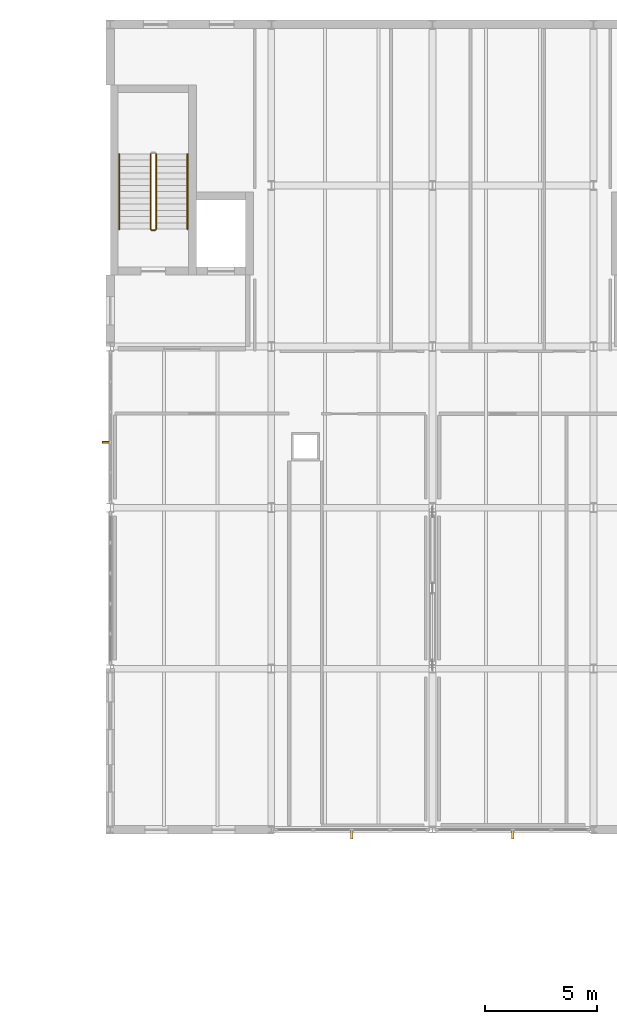
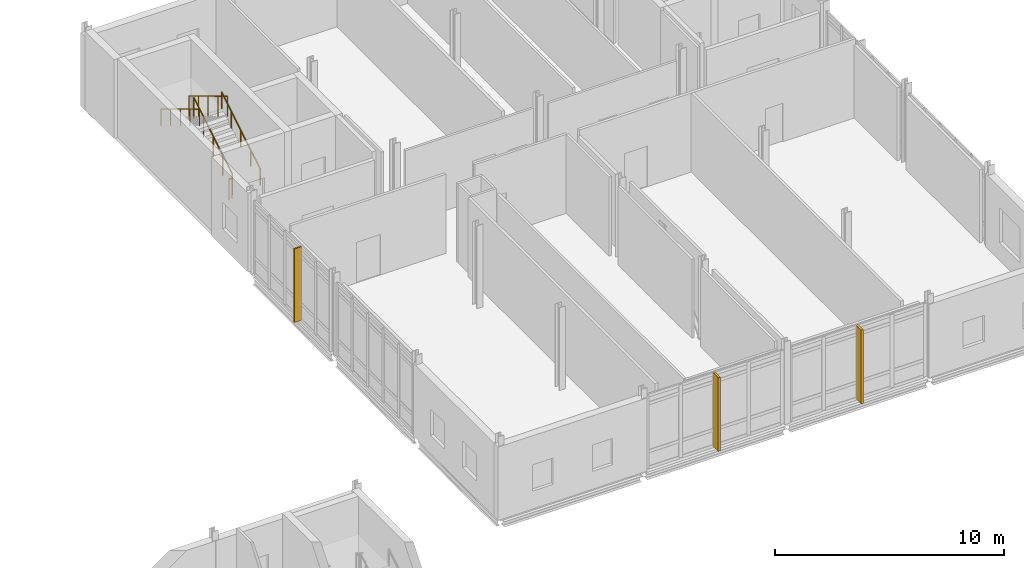
# One storey, part 71 of 72: 5 railings, 3 shading devices.
"""IFC4 building model written with IfcOpenShell, lengths in metres."""

from ifc_helpers import new_model, si_unit, direction, frame, origin, origin_2d, place, context, subcontext, project, spatial, rectangle, circle, extrude, material, layer, layer_set, type_object, element, save


model = new_model("IFC4")

# Units and contexts
model_context = context("Model", 3, precision=1e-05, world=origin(), true_north=direction((0.0, 1.0)))
body_context = subcontext(model_context, "Body", "Model", "MODEL_VIEW")
ifc_project = project(units=[si_unit("LENGTHUNIT", "METRE"), si_unit("AREAUNIT", "SQUARE_METRE"), si_unit("VOLUMEUNIT", "CUBIC_METRE"), si_unit("PLANEANGLEUNIT", "RADIAN"), si_unit("MASSUNIT", "GRAM", prefix="KILO")], contexts=[model_context])

# Site, building, storey
site_placement = place(None, origin())
site = spatial("IfcSite", under=ifc_project, at=site_placement, CompositionType="ELEMENT")
building_placement = place(site_placement, origin())
building = spatial("IfcBuilding", under=site, at=building_placement, Name="Zarrinpeak Specialist Clinic", CompositionType="ELEMENT")
storey_placement = place(building_placement, frame((0.0, 0.0, 9.60009765625)))
storey = spatial("IfcBuildingStorey", under=building, at=storey_placement, Name="L02", CompositionType="ELEMENT", Elevation=9.60009765625)

# Railings
ifc_material_1 = material(Name="Laminated Safety Glass and Stainless Steel 316", Category="steel")
ifc_layer_1 = layer(ifc_material_1, 0.06005859375)
ifc_layer_set_1 = layer_set([ifc_layer_1], Name="Laminated Safety Glass and Stainless Steel 316")
railing_type_1 = type_object("IfcRailingType", Name="RL-GRD115", PredefinedType="GUARDRAIL", material=ifc_layer_set_1)
railing_1_placement = place(storey_placement, frame((38.050048828125, 108.85009765625, 0.169189453125)))
element("IfcRailing", 1, at=railing_1_placement, inside=storey, type_object=railing_type_1, Name="L02 ST-11 stair guard 1", PredefinedType="GUARDRAIL", context=body_context, shape_type="SweptSolid", body=[
    extrude(circle(Radius=0.02392578125, at=origin_2d()), frame((0.0, 0.0, 1.076171875), z_axis=(0.0, 0.855820338506, 0.51727318527), x_axis=(-1.0, 0.0, 0.0)), (0.0, 0.0, 1.0), 3.92578125),
    extrude(circle(Radius=0.02099609375, at=origin_2d()), origin(), (0.0, 0.0, 1.0), 1.052001953125),
    extrude(circle(Radius=0.02099609375, at=origin_2d()), frame((0.0, 0.83984375, 0.5078125)), (0.0, 0.0, 1.0), 1.052001953125),
    extrude(circle(Radius=0.02099609375, at=origin_2d()), frame((0.0, 1.679931640625, 1.015380859375)), (0.0, 0.0, 1.0), 1.052001953125),
    extrude(circle(Radius=0.02099609375, at=origin_2d()), frame((0.0, 2.52001953125, 1.52294921875)), (0.0, 0.0, 1.0), 1.052001953125),
    extrude(circle(Radius=0.02099609375, at=origin_2d()), frame((0.0, 3.35986328125, 2.03076171875)), (0.0, 0.0, 1.0), 1.052001953125),
])
railing_2_placement = place(storey_placement, frame((37.800048828125, 112.2099609375, 2.369140625)))
element("IfcRailing", 2, at=railing_2_placement, inside=storey, type_object=railing_type_1, Name="L02 ST-11 stair guard 3", PredefinedType="GUARDRAIL", context=body_context, shape_type="SweptSolid", body=[
    extrude(circle(Radius=0.02392578125, at=origin_2d()), frame((0.0, 0.0, 1.076171875), z_axis=(0.0, -0.855820338506, 0.51727318527), x_axis=(1.0, 0.0, 0.0)), (0.0, 0.0, 1.0), 3.92578125),
    extrude(circle(Radius=0.02099609375, at=origin_2d()), origin(), (0.0, 0.0, 1.0), 1.052001953125),
    extrude(circle(Radius=0.02099609375, at=origin_2d()), frame((0.0, -0.83984375, 0.5078125)), (0.0, 0.0, 1.0), 1.052001953125),
    extrude(circle(Radius=0.02099609375, at=origin_2d()), frame((0.0, -1.679931640625, 1.015380859375)), (0.0, 0.0, 1.0), 1.052001953125),
    extrude(circle(Radius=0.02099609375, at=origin_2d()), frame((0.0, -2.52001953125, 1.52294921875)), (0.0, 0.0, 1.0), 1.052001953125),
    extrude(circle(Radius=0.02099609375, at=origin_2d()), frame((0.0, -3.35986328125, 2.03076171875)), (0.0, 0.0, 1.0), 1.052001953125),
])
railing_3_placement = place(storey_placement, frame((38.0, 108.800048828125, 0.0)))
element("IfcRailing", 3, at=railing_3_placement, inside=storey, type_object=railing_type_1, Name="L02 ST-11 stair guard 4", PredefinedType="GUARDRAIL", context=body_context, shape_type="SweptSolid", body=[
    extrude(circle(Radius=0.02392578125, at=origin_2d()), frame((0.0, 0.0, 1.076171875), z_axis=(-1.0, 0.0, 0.0), x_axis=(0.0, -1.0, 0.0)), (0.0, 0.0, 1.0), 0.14990234375),
    extrude(circle(Radius=0.02099609375, at=origin_2d()), origin(), (0.0, 0.0, 1.0), 1.052001953125),
    extrude(circle(Radius=0.02099609375, at=origin_2d()), frame((-0.14990234375, 0.0, 0.0)), (0.0, 0.0, 1.0), 1.052001953125),
])
ifc_material_2 = material(Name="Brushed Stainless Steel 316 Handrail", Category="steel")
ifc_layer_2 = layer(ifc_material_2, 0.050048828125)
ifc_layer_set_2 = layer_set([ifc_layer_2], Name="Brushed Stainless Steel 316 Handrail")
railing_type_2 = type_object("IfcRailingType", Name="RL-HND92", PredefinedType="HANDRAIL", material=ifc_layer_set_2)
railing_4_placement = place(storey_placement, frame((39.449951171875, 108.85009765625, 0.169189453125)))
element("IfcRailing", 4, at=railing_4_placement, inside=storey, type_object=railing_type_2, Name="L02 ST-11 stair handrail 1", PredefinedType="HANDRAIL", context=body_context, shape_type="SweptSolid", body=[
    extrude(circle(Radius=0.02392578125, at=origin_2d()), frame((0.0, 0.0, 0.8759765625), z_axis=(0.0, 0.855820338506, 0.51727318527), x_axis=(-1.0, 0.0, 0.0)), (0.0, 0.0, 1.0), 3.92578125),
    extrude(circle(Radius=0.02099609375, at=origin_2d()), origin(), (0.0, 0.0, 1.0), 0.851806640625),
    extrude(circle(Radius=0.02099609375, at=origin_2d()), frame((0.0, 0.83984375, 0.5078125)), (0.0, 0.0, 1.0), 0.851806640625),
    extrude(circle(Radius=0.02099609375, at=origin_2d()), frame((0.0, 1.679931640625, 1.015380859375)), (0.0, 0.0, 1.0), 0.851806640625),
    extrude(circle(Radius=0.02099609375, at=origin_2d()), frame((0.0, 2.52001953125, 1.52294921875)), (0.0, 0.0, 1.0), 0.851806640625),
    extrude(circle(Radius=0.02099609375, at=origin_2d()), frame((0.0, 3.35986328125, 2.03076171875)), (0.0, 0.0, 1.0), 0.851806640625),
])
railing_5_placement = place(storey_placement, frame((36.39990234375, 112.2099609375, 2.369140625)))
element("IfcRailing", 5, at=railing_5_placement, inside=storey, type_object=railing_type_2, Name="L02 ST-11 stair handrail 2", PredefinedType="HANDRAIL", context=body_context, shape_type="SweptSolid", body=[
    extrude(circle(Radius=0.02392578125, at=origin_2d()), frame((0.0, 0.0, 0.8759765625), z_axis=(0.0, -0.855820338506, 0.51727318527), x_axis=(1.0, 0.0, 0.0)), (0.0, 0.0, 1.0), 3.92578125),
    extrude(circle(Radius=0.02099609375, at=origin_2d()), origin(), (0.0, 0.0, 1.0), 0.851806640625),
    extrude(circle(Radius=0.02099609375, at=origin_2d()), frame((0.0, -0.83984375, 0.5078125)), (0.0, 0.0, 1.0), 0.851806640625),
    extrude(circle(Radius=0.02099609375, at=origin_2d()), frame((0.0, -1.679931640625, 1.015380859375)), (0.0, 0.0, 1.0), 0.851806640625),
    extrude(circle(Radius=0.02099609375, at=origin_2d()), frame((0.0, -2.52001953125, 1.52294921875)), (0.0, 0.0, 1.0), 0.851806640625),
    extrude(circle(Radius=0.02099609375, at=origin_2d()), frame((0.0, -3.35986328125, 2.03076171875)), (0.0, 0.0, 1.0), 0.851806640625),
])

# Shading devices
ifc_material_3 = material(Name="Anodised Bronze Aluminium", Category="aluminium")
shading_device_type_1 = type_object("IfcShadingDeviceType", Name="SHD-FIN-BZ", PredefinedType="JALOUSIE", material=ifc_material_3)
shading_device_placement = place(storey_placement, frame((35.8349609375, 99.324951171875, -0.01513671875), z_axis=(0.0, 0.0, 1.0), x_axis=(1.0, 0.0, 0.0)))
element("IfcShadingDevice", 6, at=shading_device_placement, inside=storey, type_object=shading_device_type_1, Name="L02 V6 Solar Control Fin FIN-091", PredefinedType="JALOUSIE", context=body_context, shape_type="SweptSolid", body=[
    extrude(rectangle(XDim=0.3798828125, YDim=0.074951171875, at=origin_2d()), origin(), (0.0, 0.0, 1.0), 3.9150390625),
])
ifc_material_4 = material(Name="Glulam GL28h", Category="wood")
shading_device_type_2 = type_object("IfcShadingDeviceType", Name="SHD-FIN-GL", PredefinedType="USERDEFINED", material=ifc_material_4)
for number, where, z_axis, x_axis, name in (
    (7, (46.800048828125, 81.800048828125, -0.01513671875), (0.0, 0.0, 1.0), (1.0, 0.0, 0.0), "L02 V6 Cedar-Glulam Courtyard Fin FIN-089"),
    (8, (54.0, 81.800048828125, -0.01513671875), (0.0, 0.0, 1.0), (1.0, 0.0, 0.0), "L02 V6 Cedar-Glulam Courtyard Fin FIN-090"),
):
    element("IfcShadingDevice", number, at=place(storey_placement, frame(where, z_axis=z_axis, x_axis=x_axis)), inside=storey, type_object=shading_device_type_2, Name=name, ObjectType="SUNSHADE", PredefinedType="USERDEFINED", context=body_context, shape_type="SweptSolid", body=[
        extrude(rectangle(XDim=0.110107421875, YDim=0.449951171875, at=origin_2d()), origin(), (0.0, 0.0, 1.0), 3.929931640625),
    ])

save(model, "model.ifc")
